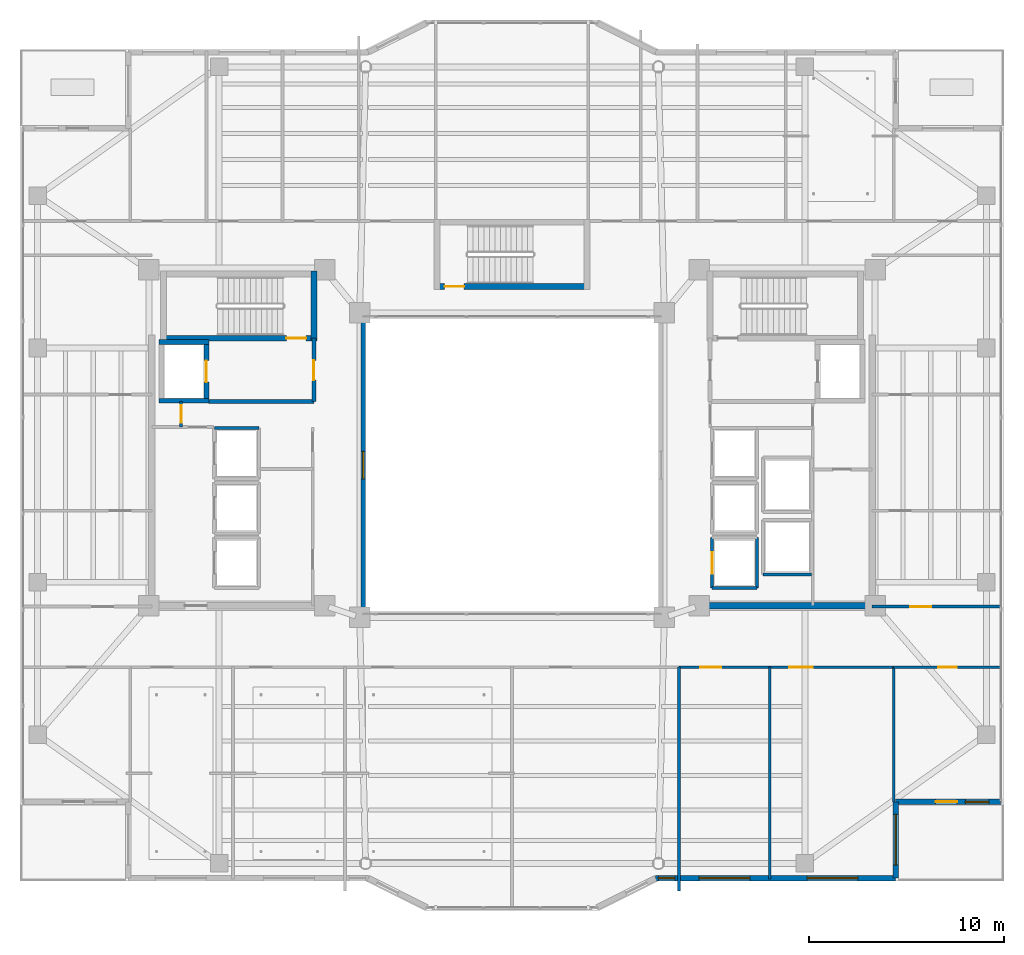
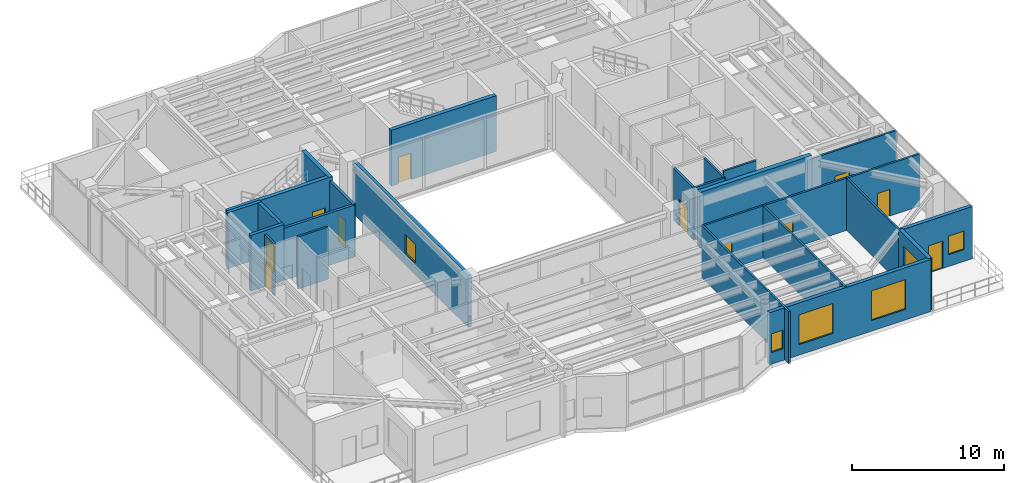
# One storey, part 24 of 33: 25 walls, 11 doors, 6 windows, 17 openings.
"""IFC4 building model written with IfcOpenShell, lengths in metres."""

from ifc_helpers import new_model, si_unit, direction, frame, frame_2d, origin, place, context, subcontext, project, spatial, rectangle, extrude, material, layer, layer_set, type_object, element, fill, save


model = new_model("IFC4")

# Units and contexts
model_context = context("Model", 3, precision=1e-05, world=origin(), true_north=direction((0.0, 1.0)))
body_context = subcontext(model_context, "Body", "Model", "MODEL_VIEW")
ifc_project = project(units=[si_unit("LENGTHUNIT", "METRE"), si_unit("AREAUNIT", "SQUARE_METRE"), si_unit("VOLUMEUNIT", "CUBIC_METRE"), si_unit("PLANEANGLEUNIT", "RADIAN"), si_unit("MASSUNIT", "GRAM", prefix="KILO")], contexts=[model_context])

# Site, building, storey
site_placement = place(None, origin())
site = spatial("IfcSite", under=ifc_project, at=site_placement, CompositionType="ELEMENT")
building_placement = place(site_placement, origin())
building = spatial("IfcBuilding", under=site, at=building_placement, Name="Tarnavaz Court Tower", CompositionType="ELEMENT")
storey_placement = place(building_placement, frame((0.0, 0.0, 177.300048828125)))
storey = spatial("IfcBuildingStorey", under=building, at=storey_placement, Name="L48", CompositionType="ELEMENT", Elevation=177.300048828125)

# Wall, opening, door
ifc_material_1 = material(Name="Concrete C50/60", Category="concrete")
ifc_layer_1 = layer(ifc_material_1, 0.25)
ifc_layer_set_1 = layer_set([ifc_layer_1], Name="Concrete C50/60")
wall_type_1 = type_object("IfcWallType", Name="WL-CORE-250-C50", PredefinedType="SHEAR", material=ifc_layer_set_1)
wall_1_placement = place(storey_placement, frame((-15.64990234375, 3.175048828125, 0.0), z_axis=(0.0, 0.0, 1.0), x_axis=(0.0, 1.0, 0.0)))
wall_1 = element("IfcWall", 1, at=wall_1_placement, inside=storey, type_object=wall_type_1, Name="L48 Lift FL-W1 Shaft Wall 018", PredefinedType="SHEAR", context=body_context, shape_type="SweptSolid", body=[
    extrude(rectangle(XDim=3.25, YDim=0.25, at=frame_2d((1.625, 0.0))), origin(), (0.0, 0.0, 1.0), 4.5),
])
opening_1_placement = place(wall_1_placement, frame((1.074951171875, 0.0, 0.0)))
opening_1 = element("IfcOpeningElement", 2, at=opening_1_placement, cuts=wall_1, Name="Opening LD1", PredefinedType="OPENING", context=body_context, shape_type="SweptSolid", body=[
    extrude(rectangle(XDim=1.10009765625, YDim=2.14990234375, at=frame_2d((0.550048828125, 1.074951171875))), frame((0.0, 0.135009765625, 0.0), z_axis=(0.0, -1.0, 0.0), x_axis=(1.0, 0.0, 0.0)), (0.0, 0.0, 1.0), 0.27001953125),
])
ifc_material_2 = material(Name="Stainless Steel", Category="steel")
door_type_1 = type_object("IfcDoorType", Name="DR-LD-1100", OperationType="NOTDEFINED", PredefinedType="DOOR", material=ifc_material_2)
door_1_placement = place(opening_1_placement, origin())
door_1 = element("IfcDoor", 3, at=door_1_placement, inside=storey, type_object=door_type_1, Name="L48 Lift Landing Door LD-FL-W1", OperationType="SLIDING_TO_LEFT", OverallHeight=2.14990234375, OverallWidth=1.10009765625, PredefinedType="DOOR", context=body_context, shape_type="SweptSolid", body=[
    extrude(rectangle(XDim=1.10009765625, YDim=2.14990234375, at=frame_2d((0.550048828125, 1.074951171875))), frame((0.0, 0.02490234375, 0.0), z_axis=(0.0, -1.0, 0.0), x_axis=(1.0, 0.0, 0.0)), (0.0, 0.0, 1.0), 0.050048828125),
])
fill(opening_1, door_1)

# Walls
for number, where, z_axis, x_axis, name in (
    (4, (-18.074951171875, 3.300048828125, 0.0), (0.0, 0.0, 1.0), (1.0, 0.0, 0.0), "L48 Lift FL-W1 Shaft Wall 019"),
    (5, (-18.074951171875, 6.300048828125, 0.0), (0.0, 0.0, 1.0), (1.0, 0.0, 0.0), "L48 Lift FL-W1 Shaft Wall 020"),
):
    element("IfcWall", number, at=place(storey_placement, frame(where, z_axis=z_axis, x_axis=x_axis)), inside=storey, type_object=wall_type_1, Name=name, PredefinedType="SHEAR", context=body_context, shape_type="SweptSolid", body=[
        extrude(rectangle(XDim=2.550048828125, YDim=0.25, at=frame_2d((1.27490234375, 0.0))), origin(), (0.0, 0.0, 1.0), 4.5),
    ])

# Wall, opening, door
ifc_layer_2 = layer(ifc_material_1, 0.300048828125)
ifc_layer_set_2 = layer_set([ifc_layer_2], Name="Concrete C50/60")
wall_type_2 = type_object("IfcWallType", Name="WL-CORE-300-C50", PredefinedType="SHEAR", material=ifc_layer_set_2)
wall_2_placement = place(storey_placement, frame((-18.0, 6.5, 0.0), z_axis=(0.0, 0.0, 1.0), x_axis=(1.0, 0.0, 0.0)))
wall_2 = element("IfcWall", 6, at=wall_2_placement, inside=storey, type_object=wall_type_2, Name="L48 West Stair Core Wall 002", PredefinedType="SHEAR", context=body_context, shape_type="SweptSolid", body=[
    extrude(rectangle(XDim=8.0, YDim=0.300048828125, at=frame_2d((4.0, 0.0))), origin(), (0.0, 0.0, 1.0), 4.5),
])
opening_2_placement = place(wall_2_placement, frame((6.449951171875, 0.0, 0.0)))
opening_2 = element("IfcOpeningElement", 7, at=opening_2_placement, cuts=wall_2, Name="Opening D01", PredefinedType="OPENING", context=body_context, shape_type="SweptSolid", body=[
    extrude(rectangle(XDim=1.0, YDim=2.14990234375, at=frame_2d((0.5, 1.074951171875))), frame((0.0, 0.159912109375, 0.0), z_axis=(0.0, -1.0, 0.0), x_axis=(1.0, 0.0, 0.0)), (0.0, 0.0, 1.0), 0.320068359375),
])
ifc_material_3 = material(Name="Fire-Rated Hardwood Timber Core", Category="wood")
door_type_2 = type_object("IfcDoorType", Name="DR-FD90-1000", OperationType="NOTDEFINED", PredefinedType="DOOR", material=ifc_material_3)
door_2_placement = place(opening_2_placement, origin())
door_2 = element("IfcDoor", 8, at=door_2_placement, inside=storey, type_object=door_type_2, Name="L48 Stair ST-W1 Exit Door", OperationType="SINGLE_SWING_LEFT", OverallHeight=2.14990234375, OverallWidth=1.0, PredefinedType="DOOR", context=body_context, shape_type="SweptSolid", body=[
    extrude(rectangle(XDim=1.0, YDim=2.14990234375, at=frame_2d((0.5, 1.074951171875))), frame((0.0, 0.02490234375, 0.0), z_axis=(0.0, -1.0, 0.0), x_axis=(1.0, 0.0, 0.0)), (0.0, 0.0, 1.0), 0.050048828125),
])
fill(opening_2, door_2)

# Wall
wall_3_placement = place(storey_placement, frame((-10.14990234375, 6.35009765625, 0.0), z_axis=(0.0, 0.0, 1.0), x_axis=(0.0, 1.0, 0.0)))
element("IfcWall", 9, at=wall_3_placement, inside=storey, type_object=wall_type_2, Name="L48 West Stair Core Wall 004", PredefinedType="SHEAR", context=body_context, shape_type="SweptSolid", body=[
    extrude(rectangle(XDim=3.58984375, YDim=0.300048828125, at=frame_2d((1.794921875, 0.0))), origin(), (0.0, 0.0, 1.0), 4.5),
])

# Wall, opening, door
wall_4_placement = place(storey_placement, frame((-4.0, 9.14990234375, 0.0), z_axis=(0.0, 0.0, 1.0), x_axis=(1.0, 0.0, 0.0)))
wall_4 = element("IfcWall", 10, at=wall_4_placement, inside=storey, type_object=wall_type_2, Name="L48 North Stair Core Wall 010", PredefinedType="SHEAR", context=body_context, shape_type="SweptSolid", body=[
    extrude(rectangle(XDim=8.0, YDim=0.300048828125, at=frame_2d((4.0, 0.0))), origin(), (0.0, 0.0, 1.0), 4.5),
])
opening_3_placement = place(wall_4_placement, frame((0.550048828125, 0.0, 0.0)))
opening_3 = element("IfcOpeningElement", 11, at=opening_3_placement, cuts=wall_4, Name="Opening D01", PredefinedType="OPENING", context=body_context, shape_type="SweptSolid", body=[
    extrude(rectangle(XDim=1.0, YDim=2.14990234375, at=frame_2d((0.5, 1.074951171875))), frame((0.0, 0.159912109375, 0.0), z_axis=(0.0, -1.0, 0.0), x_axis=(1.0, 0.0, 0.0)), (0.0, 0.0, 1.0), 0.320068359375),
])
door_3_placement = place(opening_3_placement, origin())
door_3 = element("IfcDoor", 12, at=door_3_placement, inside=storey, type_object=door_type_2, Name="L48 Stair ST-N1 Exit Door", OperationType="SINGLE_SWING_LEFT", OverallHeight=2.14990234375, OverallWidth=1.0, PredefinedType="DOOR", context=body_context, shape_type="SweptSolid", body=[
    extrude(rectangle(XDim=1.0, YDim=2.14990234375, at=frame_2d((0.5, 1.074951171875))), frame((0.0, 0.02490234375, 0.0), z_axis=(0.0, -1.0, 0.0), x_axis=(1.0, 0.0, 0.0)), (0.0, 0.0, 1.0), 0.050048828125),
])
fill(opening_3, door_3)

# Wall
ifc_layer_3 = layer(ifc_material_1, 0.35009765625)
ifc_layer_set_3 = layer_set([ifc_layer_3], Name="Concrete C50/60")
wall_type_3 = type_object("IfcWallType", Name="WL-CORE-350-C50", PredefinedType="SHEAR", material=ifc_layer_set_3)
wall_5_placement = place(storey_placement, frame((10.074951171875, -7.199951171875, 0.0), z_axis=(0.0, 0.0, 1.0), x_axis=(1.0, 0.0, 0.0)))
element("IfcWall", 13, at=wall_5_placement, inside=storey, type_object=wall_type_3, Name="L48 East Core South Shear Wall 060", PredefinedType="SHEAR", context=body_context, shape_type="SweptSolid", body=[
    extrude(rectangle(XDim=8.550048828125, YDim=0.35009765625, at=frame_2d((4.27490234375, 0.0))), origin(), (0.0, 0.0, 1.0), 4.5),
])

# Wall, openings, door, window
ifc_material_4 = material(Name="Precast Concrete C40/50", Category="concrete")
ifc_layer_4 = layer(ifc_material_4, 0.280029296875)
ifc_layer_set_4 = layer_set([ifc_layer_4], Name="Precast Concrete C40/50")
wall_type_4 = type_object("IfcWallType", Name="WL-EXT-280", PredefinedType="SOLIDWALL", material=ifc_layer_set_4)
wall_6_placement = place(storey_placement, frame((25.050048828125, -17.25, 0.0), z_axis=(0.0, 0.0, 1.0), x_axis=(-1.0, 0.0, 0.0)))
wall_6 = element("IfcWall", 14, at=wall_6_placement, inside=storey, type_object=wall_type_4, Name="L48 Exterior Terracotta Facade Wall 13", PredefinedType="SOLIDWALL", context=body_context, shape_type="SweptSolid", body=[
    extrude(rectangle(XDim=5.400146484375, YDim=0.280029296875, at=frame_2d((2.7001953125, 0.0))), origin(), (0.0, 0.0, 1.0), 4.199951171875),
])
opening_4_placement = place(wall_6_placement, frame((2.25, 0.0, 0.0)))
opening_4 = element("IfcOpeningElement", 15, at=opening_4_placement, cuts=wall_6, Name="Opening TD1", PredefinedType="OPENING", context=body_context, shape_type="SweptSolid", body=[
    extrude(rectangle(XDim=1.10009765625, YDim=2.199951171875, at=frame_2d((0.550048828125, 1.10009765625))), frame((0.0, 0.14990234375, 0.0), z_axis=(0.0, -1.0, 0.0), x_axis=(1.0, 0.0, 0.0)), (0.0, 0.0, 1.0), 0.300048828125),
])
opening_5_placement = place(wall_6_placement, frame((0.6298828125, 0.0, 0.949951171875)))
opening_5 = element("IfcOpeningElement", 16, at=opening_5_placement, cuts=wall_6, Name="Opening W05", PredefinedType="OPENING", context=body_context, shape_type="SweptSolid", body=[
    extrude(rectangle(XDim=1.199951171875, YDim=1.5, at=frame_2d((0.60009765625, 0.75))), frame((0.0, 0.14990234375, 0.0), z_axis=(0.0, -1.0, 0.0), x_axis=(1.0, 0.0, 0.0)), (0.0, 0.0, 1.0), 0.300048828125),
])
ifc_material_5 = material(Name="Thermally Broken Aluminium and Laminated Glass", Category="aluminium")
door_type_3 = type_object("IfcDoorType", Name="DR-TERR-1100", OperationType="NOTDEFINED", PredefinedType="DOOR", material=ifc_material_5)
door_4_placement = place(opening_4_placement, origin())
door_4 = element("IfcDoor", 17, at=door_4_placement, inside=storey, type_object=door_type_3, Name="L48 Sky Terrace Access Door 3", OperationType="SINGLE_SWING_LEFT", OverallHeight=2.199951171875, OverallWidth=1.10009765625, PredefinedType="DOOR", context=body_context, shape_type="SweptSolid", body=[
    extrude(rectangle(XDim=1.10009765625, YDim=2.199951171875, at=frame_2d((0.550048828125, 1.10009765625))), frame((0.0, 0.02490234375, 0.0), z_axis=(0.0, -1.0, 0.0), x_axis=(1.0, 0.0, 0.0)), (0.0, 0.0, 1.0), 0.050048828125),
])
fill(opening_4, door_4)
ifc_material_6 = material(Name="Double-Glazed Solar Low-E Glass", Category="glass")
window_type_1 = type_object("IfcWindowType", Name="WN-APT-1200", PartitioningType="SINGLE_PANEL", PredefinedType="WINDOW", material=ifc_material_6)
window_1_placement = place(opening_5_placement, origin())
window_1 = element("IfcWindow", 18, at=window_1_placement, inside=storey, type_object=window_type_1, Name="L48 L48 SE Terrace Salon Window", OverallHeight=1.5, OverallWidth=1.199951171875, PartitioningType="SINGLE_PANEL", PredefinedType="WINDOW", context=body_context, shape_type="SweptSolid", body=[
    extrude(rectangle(XDim=1.199951171875, YDim=1.5, at=frame_2d((0.60009765625, 0.75))), frame((0.0, 0.030029296875, 0.0), z_axis=(0.0, -1.0, 0.0), x_axis=(1.0, 0.0, 0.0)), (0.0, 0.0, 1.0), 0.06005859375),
])
fill(opening_5, window_1)

# Wall, opening, window
wall_7_placement = place(storey_placement, frame((19.64990234375, -17.25, 0.0), z_axis=(0.0, 0.0, 1.0), x_axis=(0.0, -1.0, 0.0)))
wall_7 = element("IfcWall", 19, at=wall_7_placement, inside=storey, type_object=wall_type_4, Name="L48 Exterior Terracotta Facade Wall 14", PredefinedType="SOLIDWALL", context=body_context, shape_type="SweptSolid", body=[
    extrude(rectangle(XDim=3.89990234375, YDim=0.280029296875, at=frame_2d((1.949951171875, 0.0))), origin(), (0.0, 0.0, 1.0), 4.199951171875),
])
opening_6_placement = place(wall_7_placement, frame((0.632080078125, 0.0, 0.85009765625)))
opening_6 = element("IfcOpeningElement", 20, at=opening_6_placement, cuts=wall_7, Name="Opening W11", PredefinedType="OPENING", context=body_context, shape_type="SweptSolid", body=[
    extrude(rectangle(XDim=2.60009765625, YDim=2.39990234375, at=frame_2d((1.300048828125, 1.199951171875))), frame((0.0, 0.14990234375, 0.0), z_axis=(0.0, -1.0, 0.0), x_axis=(1.0, 0.0, 0.0)), (0.0, 0.0, 1.0), 0.300048828125),
])
window_type_2 = type_object("IfcWindowType", Name="WN-COM-2600", PartitioningType="TRIPLE_PANEL_VERTICAL", PredefinedType="WINDOW", material=ifc_material_6)
window_2_placement = place(opening_6_placement, origin())
window_2 = element("IfcWindow", 21, at=window_2_placement, inside=storey, type_object=window_type_2, Name="L48 Residents Cafe and Tea Room Window", OverallHeight=2.39990234375, OverallWidth=2.60009765625, PartitioningType="SINGLE_PANEL", PredefinedType="WINDOW", context=body_context, shape_type="SweptSolid", body=[
    extrude(rectangle(XDim=2.60009765625, YDim=2.39990234375, at=frame_2d((1.300048828125, 1.199951171875))), frame((0.0, 0.030029296875, 0.0), z_axis=(0.0, -1.0, 0.0), x_axis=(1.0, 0.0, 0.0)), (0.0, 0.0, 1.0), 0.06005859375),
])
fill(opening_6, window_2)

# Wall, openings, windows
wall_8_placement = place(storey_placement, frame((19.64990234375, -21.14990234375, 0.0), z_axis=(0.0, 0.0, 1.0), x_axis=(-1.0, 0.0, 0.0)))
wall_8 = element("IfcWall", 22, at=wall_8_placement, inside=storey, type_object=wall_type_4, Name="L48 Exterior Terracotta Facade Wall 15", PredefinedType="SOLIDWALL", context=body_context, shape_type="SweptSolid", body=[
    extrude(rectangle(XDim=12.2998046875, YDim=0.280029296875, at=frame_2d((6.14990234375, 0.0))), origin(), (0.0, 0.0, 1.0), 4.199951171875),
])
opening_7_placement = place(wall_8_placement, frame((1.938232421875, 0.0, 0.85009765625)))
opening_7 = element("IfcOpeningElement", 23, at=opening_7_placement, cuts=wall_8, Name="Opening W11", PredefinedType="OPENING", context=body_context, shape_type="SweptSolid", body=[
    extrude(rectangle(XDim=2.60009765625, YDim=2.39990234375, at=frame_2d((1.300048828125, 1.199951171875))), frame((0.0, 0.14990234375, 0.0), z_axis=(0.0, -1.0, 0.0), x_axis=(1.0, 0.0, 0.0)), (0.0, 0.0, 1.0), 0.300048828125),
])
opening_8_placement = place(wall_8_placement, frame((7.460693359375, 0.0, 0.85009765625)))
opening_8 = element("IfcOpeningElement", 24, at=opening_8_placement, cuts=wall_8, Name="Opening W11", PredefinedType="OPENING", context=body_context, shape_type="SweptSolid", body=[
    extrude(rectangle(XDim=2.60009765625, YDim=2.39990234375, at=frame_2d((1.300048828125, 1.199951171875))), frame((0.0, 0.14990234375, 0.0), z_axis=(0.0, -1.0, 0.0), x_axis=(1.0, 0.0, 0.0)), (0.0, 0.0, 1.0), 0.300048828125),
])
opening_9_placement = place(wall_8_placement, frame((11.302978515625, 0.0, 0.949951171875)))
opening_9 = element("IfcOpeningElement", 25, at=opening_9_placement, cuts=wall_8, Name="Opening W15", PredefinedType="OPENING", context=body_context, shape_type="SweptSolid", body=[
    extrude(rectangle(XDim=0.85009765625, YDim=1.5, at=frame_2d((0.425048828125, 0.75))), frame((0.0, 0.14990234375, 0.0), z_axis=(0.0, -1.0, 0.0), x_axis=(1.0, 0.0, 0.0)), (0.0, 0.0, 1.0), 0.300048828125),
])
window_type_3 = type_object("IfcWindowType", Name="WN-APT-850", PartitioningType="SINGLE_PANEL", PredefinedType="WINDOW", material=ifc_material_6)
window_3_placement = place(opening_9_placement, origin())
window_3 = element("IfcWindow", 26, at=window_3_placement, inside=storey, type_object=window_type_3, Name="L48 L48 South-East Music and Arts Studio Window", OverallHeight=1.5, OverallWidth=0.85009765625, PartitioningType="SINGLE_PANEL", PredefinedType="WINDOW", context=body_context, shape_type="SweptSolid", body=[
    extrude(rectangle(XDim=0.85009765625, YDim=1.5, at=frame_2d((0.425048828125, 0.75))), frame((0.0, 0.030029296875, 0.0), z_axis=(0.0, -1.0, 0.0), x_axis=(1.0, 0.0, 0.0)), (0.0, 0.0, 1.0), 0.06005859375),
])
fill(opening_9, window_3)
window_4_placement = place(opening_7_placement, origin())
window_4 = element("IfcWindow", 27, at=window_4_placement, inside=storey, type_object=window_type_2, Name="L48 Residents Cafe and Tea Room Window", OverallHeight=2.39990234375, OverallWidth=2.60009765625, PartitioningType="SINGLE_PANEL", PredefinedType="WINDOW", context=body_context, shape_type="SweptSolid", body=[
    extrude(rectangle(XDim=2.60009765625, YDim=2.39990234375, at=frame_2d((1.300048828125, 1.199951171875))), frame((0.0, 0.030029296875, 0.0), z_axis=(0.0, -1.0, 0.0), x_axis=(1.0, 0.0, 0.0)), (0.0, 0.0, 1.0), 0.06005859375),
])
fill(opening_7, window_4)
window_5_placement = place(opening_8_placement, origin())
window_5 = element("IfcWindow", 28, at=window_5_placement, inside=storey, type_object=window_type_2, Name="L48 L48 Residents Counseling Office Window", OverallHeight=2.39990234375, OverallWidth=2.60009765625, PartitioningType="SINGLE_PANEL", PredefinedType="WINDOW", context=body_context, shape_type="SweptSolid", body=[
    extrude(rectangle(XDim=2.60009765625, YDim=2.39990234375, at=frame_2d((1.300048828125, 1.199951171875))), frame((0.0, 0.030029296875, 0.0), z_axis=(0.0, -1.0, 0.0), x_axis=(1.0, 0.0, 0.0)), (0.0, 0.0, 1.0), 0.06005859375),
])
fill(opening_8, window_5)

# Wall, openings, doors
ifc_material_7 = material(Name="Gypsum Fire-Board on Acoustic Metal Stud", Category="masonry")
ifc_layer_5 = layer(ifc_material_7, 0.14990234375)
ifc_layer_set_5 = layer_set([ifc_layer_5], Name="Gypsum Fire-Board on Acoustic Metal Stud")
wall_type_5 = type_object("IfcWallType", Name="WL-FIRE-150", PredefinedType="PARTITIONING", material=ifc_layer_set_5)
wall_9_placement = place(storey_placement, frame((8.550048828125, -10.35009765625, 0.0), z_axis=(0.0, 0.0, 1.0), x_axis=(1.0, 0.0, 0.0)))
wall_9 = element("IfcWall", 29, at=wall_9_placement, inside=storey, type_object=wall_type_5, Name="L48 SE Horseshoe Wall 072", PredefinedType="PARTITIONING", context=body_context, shape_type="SweptSolid", body=[
    extrude(rectangle(XDim=11.0, YDim=0.14990234375, at=frame_2d((5.5, 0.0))), origin(), (0.0, 0.0, 1.0), 4.199951171875),
])
opening_10_placement = place(wall_9_placement, frame((1.10009765625, 0.0, 0.0)))
opening_10 = element("IfcOpeningElement", 30, at=opening_10_placement, cuts=wall_9, Name="Opening D12", PredefinedType="OPENING", context=body_context, shape_type="SweptSolid", body=[
    extrude(rectangle(XDim=1.080078125, YDim=2.14990234375, at=frame_2d((0.5400390625, 1.074951171875))), frame((0.0, 0.0849609375, 0.0), z_axis=(0.0, -1.0, 0.0), x_axis=(1.0, 0.0, 0.0)), (0.0, 0.0, 1.0), 0.169921875),
])
opening_11_placement = place(wall_9_placement, frame((5.64892578125, 0.0, 0.0)))
opening_11 = element("IfcOpeningElement", 31, at=opening_11_placement, cuts=wall_9, Name="Opening D11", PredefinedType="OPENING", context=body_context, shape_type="SweptSolid", body=[
    extrude(rectangle(XDim=1.199951171875, YDim=2.14990234375, at=frame_2d((0.60009765625, 1.074951171875))), frame((0.0, 0.0849609375, 0.0), z_axis=(0.0, -1.0, 0.0), x_axis=(1.0, 0.0, 0.0)), (0.0, 0.0, 1.0), 0.169921875),
])
ifc_material_8 = material(Name="Engineered Oak Timber", Category="wood")
door_type_4 = type_object("IfcDoorType", Name="DR-INT-1100", OperationType="NOTDEFINED", PredefinedType="DOOR", material=ifc_material_8)
door_5_placement = place(opening_10_placement, origin())
door_5 = element("IfcDoor", 32, at=door_5_placement, inside=storey, type_object=door_type_4, Name="L48 Counseling Office Door", OperationType="SINGLE_SWING_RIGHT", OverallHeight=2.14990234375, OverallWidth=1.080078125, PredefinedType="DOOR", context=body_context, shape_type="SweptSolid", body=[
    extrude(rectangle(XDim=1.080078125, YDim=2.14990234375, at=frame_2d((0.5400390625, 1.074951171875))), frame((0.0, 0.02490234375, 0.0), z_axis=(0.0, -1.0, 0.0), x_axis=(1.0, 0.0, 0.0)), (0.0, 0.0, 1.0), 0.050048828125),
])
fill(opening_10, door_5)
door_type_5 = type_object("IfcDoorType", Name="DR-INT-1200", OperationType="NOTDEFINED", PredefinedType="DOOR", material=ifc_material_8)
door_6_placement = place(opening_11_placement, origin())
door_6 = element("IfcDoor", 33, at=door_6_placement, inside=storey, type_object=door_type_5, Name="L48 Residents Cafe and Tea Room Door", OperationType="SINGLE_SWING_LEFT", OverallHeight=2.14990234375, OverallWidth=1.199951171875, PredefinedType="DOOR", context=body_context, shape_type="SweptSolid", body=[
    extrude(rectangle(XDim=1.199951171875, YDim=2.14990234375, at=frame_2d((0.60009765625, 1.074951171875))), frame((0.0, 0.02490234375, 0.0), z_axis=(0.0, -1.0, 0.0), x_axis=(1.0, 0.0, 0.0)), (0.0, 0.0, 1.0), 0.050048828125),
])
fill(opening_11, door_6)

# Wall, opening, door
wall_10_placement = place(storey_placement, frame((18.449951171875, -7.25, 0.0), z_axis=(0.0, 0.0, 1.0), x_axis=(1.0, 0.0, 0.0)))
wall_10 = element("IfcWall", 34, at=wall_10_placement, inside=storey, type_object=wall_type_5, Name="L48 Interior Partition 088", PredefinedType="PARTITIONING", context=body_context, shape_type="SweptSolid", body=[
    extrude(rectangle(XDim=6.630126953125, YDim=0.14990234375, at=frame_2d((3.31494140625, 0.0))), origin(), (0.0, 0.0, 1.0), 4.199951171875),
])
opening_12_placement = place(wall_10_placement, frame((1.949951171875, 0.0, 0.0)))
opening_12 = element("IfcOpeningElement", 35, at=opening_12_placement, cuts=wall_10, Name="Opening D12", PredefinedType="OPENING", context=body_context, shape_type="SweptSolid", body=[
    extrude(rectangle(XDim=1.080078125, YDim=2.14990234375, at=frame_2d((0.5400390625, 1.074951171875))), frame((0.0, 0.0849609375, 0.0), z_axis=(0.0, -1.0, 0.0), x_axis=(1.0, 0.0, 0.0)), (0.0, 0.0, 1.0), 0.169921875),
])
door_7_placement = place(opening_12_placement, origin())
door_7 = element("IfcDoor", 36, at=door_7_placement, inside=storey, type_object=door_type_4, Name="L48 East Suite Room 1 Door", OperationType="SINGLE_SWING_LEFT", OverallHeight=2.14990234375, OverallWidth=1.080078125, PredefinedType="DOOR", context=body_context, shape_type="SweptSolid", body=[
    extrude(rectangle(XDim=1.080078125, YDim=2.14990234375, at=frame_2d((0.5400390625, 1.074951171875))), frame((0.0, 0.02490234375, 0.0), z_axis=(0.0, -1.0, 0.0), x_axis=(1.0, 0.0, 0.0)), (0.0, 0.0, 1.0), 0.050048828125),
])
fill(opening_12, door_7)

wall_11_placement = place(storey_placement, frame((19.550048828125, -10.35009765625, 0.0), z_axis=(0.0, 0.0, 1.0), x_axis=(1.0, 0.0, 0.0)))
wall_11 = element("IfcWall", 37, at=wall_11_placement, inside=storey, type_object=wall_type_5, Name="L48 Interior Partition 098", PredefinedType="PARTITIONING", context=body_context, shape_type="SweptSolid", body=[
    extrude(rectangle(XDim=5.530029296875, YDim=0.14990234375, at=frame_2d((2.76513671875, 0.0))), origin(), (0.0, 0.0, 1.0), 4.199951171875),
])
opening_13_placement = place(wall_11_placement, frame((2.2900390625, 0.0, 0.0)))
opening_13 = element("IfcOpeningElement", 38, at=opening_13_placement, cuts=wall_11, Name="Opening D13", PredefinedType="OPENING", context=body_context, shape_type="SweptSolid", body=[
    extrude(rectangle(XDim=0.949951171875, YDim=2.14990234375, at=frame_2d((0.47509765625, 1.074951171875))), frame((0.0, 0.0849609375, 0.0), z_axis=(0.0, -1.0, 0.0), x_axis=(1.0, 0.0, 0.0)), (0.0, 0.0, 1.0), 0.169921875),
])
door_type_6 = type_object("IfcDoorType", Name="DR-INT-950", OperationType="NOTDEFINED", PredefinedType="DOOR", material=ifc_material_8)
door_8_placement = place(opening_13_placement, origin())
door_8 = element("IfcDoor", 39, at=door_8_placement, inside=storey, type_object=door_type_6, Name="L48 SE Terrace Salon Door", OperationType="SINGLE_SWING_LEFT", OverallHeight=2.14990234375, OverallWidth=0.949951171875, PredefinedType="DOOR", context=body_context, shape_type="SweptSolid", body=[
    extrude(rectangle(XDim=0.949951171875, YDim=2.14990234375, at=frame_2d((0.47509765625, 1.074951171875))), frame((0.0, 0.02490234375, 0.0), z_axis=(0.0, -1.0, 0.0), x_axis=(1.0, 0.0, 0.0)), (0.0, 0.0, 1.0), 0.050048828125),
])
fill(opening_13, door_8)

# Wall
ifc_material_9 = material(Name="Autoclaved Aerated Concrete Blockwork", Category="masonry")
ifc_layer_6 = layer(ifc_material_9, 0.199951171875)
ifc_layer_set_6 = layer_set([ifc_layer_6], Name="Autoclaved Aerated Concrete Blockwork")
wall_type_6 = type_object("IfcWallType", Name="WL-FIRE-200", PredefinedType="SOLIDWALL", material=ifc_layer_set_6)
wall_12_placement = place(storey_placement, frame((-15.550048828125, 3.25, 0.0), z_axis=(0.0, 0.0, 1.0), x_axis=(1.0, 0.0, 0.0)))
element("IfcWall", 40, at=wall_12_placement, inside=storey, type_object=wall_type_6, Name="L48 West Firefighting Lobby Wall 013", PredefinedType="SOLIDWALL", context=body_context, shape_type="SweptSolid", body=[
    extrude(rectangle(XDim=5.400146484375, YDim=0.199951171875, at=frame_2d((2.7001953125, 0.0))), origin(), (0.0, 0.0, 1.0), 4.199951171875),
])

# Wall, opening, door
wall_13_placement = place(storey_placement, frame((-10.14990234375, 3.25, 0.0), z_axis=(0.0, 0.0, 1.0), x_axis=(0.0, 1.0, 0.0)))
wall_13 = element("IfcWall", 41, at=wall_13_placement, inside=storey, type_object=wall_type_6, Name="L48 West Firefighting Lobby Wall 014", PredefinedType="SOLIDWALL", context=body_context, shape_type="SweptSolid", body=[
    extrude(rectangle(XDim=3.25, YDim=0.199951171875, at=frame_2d((1.625, 0.0))), origin(), (0.0, 0.0, 1.0), 4.199951171875),
])
opening_14_placement = place(wall_13_placement, frame((1.10009765625, 0.0, 0.0)))
opening_14 = element("IfcOpeningElement", 42, at=opening_14_placement, cuts=wall_13, Name="Opening D05", PredefinedType="OPENING", context=body_context, shape_type="SweptSolid", body=[
    extrude(rectangle(XDim=1.02001953125, YDim=2.14990234375, at=frame_2d((0.510009765625, 1.074951171875))), frame((0.0, 0.10986328125, 0.0), z_axis=(0.0, -1.0, 0.0), x_axis=(1.0, 0.0, 0.0)), (0.0, 0.0, 1.0), 0.219970703125),
])
door_type_7 = type_object("IfcDoorType", Name="DR-FD60-1000", OperationType="NOTDEFINED", PredefinedType="DOOR", material=ifc_material_3)
door_9_placement = place(opening_14_placement, origin())
door_9 = element("IfcDoor", 43, at=door_9_placement, inside=storey, type_object=door_type_7, Name="L48 West Firefighting Lobby Door", OperationType="SINGLE_SWING_RIGHT", OverallHeight=2.14990234375, OverallWidth=1.02001953125, PredefinedType="DOOR", context=body_context, shape_type="SweptSolid", body=[
    extrude(rectangle(XDim=1.02001953125, YDim=2.14990234375, at=frame_2d((0.510009765625, 1.074951171875))), frame((0.0, 0.02490234375, 0.0), z_axis=(0.0, -1.0, 0.0), x_axis=(1.0, 0.0, 0.0)), (0.0, 0.0, 1.0), 0.050048828125),
])
fill(opening_14, door_9)

ifc_material_10 = material(Name="Gypsum Plasterboard Acoustic Partition", Category="masonry")
ifc_layer_7 = layer(ifc_material_10, 0.139892578125)
ifc_layer_set_7 = layer_set([ifc_layer_7], Name="Gypsum Plasterboard Acoustic Partition")
wall_type_7 = type_object("IfcWallType", Name="WL-PART-150", PredefinedType="PARTITIONING", material=ifc_layer_set_7)
wall_14_placement = place(storey_placement, frame((-16.949951171875, 1.949951171875, 0.0), z_axis=(0.0, 0.0, 1.0), x_axis=(0.0, 1.0, 0.0)))
wall_14 = element("IfcWall", 44, at=wall_14_placement, inside=storey, type_object=wall_type_7, Name="L48 Interior Partition 062", PredefinedType="PARTITIONING", context=body_context, shape_type="SweptSolid", body=[
    extrude(rectangle(XDim=1.300048828125, YDim=0.139892578125, at=frame_2d((0.64990234375, 0.0))), origin(), (0.0, 0.0, 1.0), 4.199951171875),
])
opening_15_placement = place(wall_14_placement, frame((0.219970703125, 0.0, 0.0)))
opening_15 = element("IfcOpeningElement", 45, at=opening_15_placement, cuts=wall_14, Name="Opening D09", PredefinedType="OPENING", context=body_context, shape_type="SweptSolid", body=[
    extrude(rectangle(XDim=0.89990234375, YDim=2.080078125, at=frame_2d((0.449951171875, 1.0400390625))), frame((0.0, 0.079833984375, 0.0), z_axis=(0.0, -1.0, 0.0), x_axis=(1.0, 0.0, 0.0)), (0.0, 0.0, 1.0), 0.159912109375),
])
door_type_8 = type_object("IfcDoorType", Name="DR-FD30-900", OperationType="NOTDEFINED", PredefinedType="DOOR", material=ifc_material_3)
door_10_placement = place(opening_15_placement, origin())
door_10 = element("IfcDoor", 46, at=door_10_placement, inside=storey, type_object=door_type_8, Name="L48 West Sky BMS Room Door", OperationType="SINGLE_SWING_RIGHT", OverallHeight=2.080078125, OverallWidth=0.89990234375, PredefinedType="DOOR", context=body_context, shape_type="SweptSolid", body=[
    extrude(rectangle(XDim=0.89990234375, YDim=2.080078125, at=frame_2d((0.449951171875, 1.0400390625))), frame((0.0, 0.02490234375, 0.0), z_axis=(0.0, -1.0, 0.0), x_axis=(1.0, 0.0, 0.0)), (0.0, 0.0, 1.0), 0.050048828125),
])
fill(opening_15, door_10)

# Walls
wall_15_placement = place(storey_placement, frame((8.550048828125, -21.803955078125, 0.0), z_axis=(0.0, 0.0, 1.0), x_axis=(0.0, 1.0, 0.0)))
element("IfcWall", 47, at=wall_15_placement, inside=storey, type_object=wall_type_7, Name="L48 Interior Partition 083", PredefinedType="PARTITIONING", context=body_context, shape_type="SweptSolid", body=[
    extrude(rectangle(XDim=11.453857421875, YDim=0.139892578125, at=frame_2d((5.72705078125, 0.0))), origin(), (0.0, 0.0, 1.0), 4.199951171875),
])
wall_16_placement = place(storey_placement, frame((13.198974609375, -21.199951171875, 0.0), z_axis=(0.0, 0.0, 1.0), x_axis=(0.0, 1.0, 0.0)))
element("IfcWall", 48, at=wall_16_placement, inside=storey, type_object=wall_type_7, Name="L48 Interior Partition 084", PredefinedType="PARTITIONING", context=body_context, shape_type="SweptSolid", body=[
    extrude(rectangle(XDim=10.849853515625, YDim=0.139892578125, at=frame_2d((5.4248046875, 0.0))), origin(), (0.0, 0.0, 1.0), 4.199951171875),
])
wall_17_placement = place(storey_placement, frame((19.550048828125, -17.25, 0.0), z_axis=(0.0, 0.0, 1.0), x_axis=(0.0, 1.0, 0.0)))
element("IfcWall", 49, at=wall_17_placement, inside=storey, type_object=wall_type_7, Name="L48 Interior Partition 092", PredefinedType="PARTITIONING", context=body_context, shape_type="SweptSolid", body=[
    extrude(rectangle(XDim=6.89990234375, YDim=0.139892578125, at=frame_2d((3.449951171875, 0.0))), origin(), (0.0, 0.0, 1.0), 4.199951171875),
])
ifc_layer_8 = layer(ifc_material_9, 0.159912109375)
ifc_layer_set_8 = layer_set([ifc_layer_8], Name="Autoclaved Aerated Concrete Blockwork")
wall_type_8 = type_object("IfcWallType", Name="WL-SHAFT-150", PredefinedType="SOLIDWALL", material=ifc_layer_set_8)
wall_18_placement = place(storey_placement, frame((-15.25, 1.89990234375, 0.0), z_axis=(0.0, 0.0, 1.0), x_axis=(1.0, 0.0, 0.0)))
element("IfcWall", 50, at=wall_18_placement, inside=storey, type_object=wall_type_8, Name="L48 Lift PL-H3 Shaft Wall 032", PredefinedType="SOLIDWALL", context=body_context, shape_type="SweptSolid", body=[
    extrude(rectangle(XDim=2.300048828125, YDim=0.159912109375, at=frame_2d((1.14990234375, 0.0))), origin(), (0.0, 0.0, 1.0), 4.199951171875),
])

# Wall, opening, door
wall_19_placement = place(storey_placement, frame((10.25, -6.300048828125, 0.0), z_axis=(0.0, 0.0, 1.0), x_axis=(0.0, 1.0, 0.0)))
wall_19 = element("IfcWall", 51, at=wall_19_placement, inside=storey, type_object=wall_type_8, Name="L48 Lift PL-M1 Shaft Wall 037", PredefinedType="SOLIDWALL", context=body_context, shape_type="SweptSolid", body=[
    extrude(rectangle(XDim=2.60009765625, YDim=0.159912109375, at=frame_2d((1.300048828125, 0.0))), origin(), (0.0, 0.0, 1.0), 4.199951171875),
])
opening_16_placement = place(wall_19_placement, frame((0.75, 0.0, 0.0)))
opening_16 = element("IfcOpeningElement", 52, at=opening_16_placement, cuts=wall_19, Name="Opening LD1", PredefinedType="OPENING", context=body_context, shape_type="SweptSolid", body=[
    extrude(rectangle(XDim=1.10009765625, YDim=2.14990234375, at=frame_2d((0.550048828125, 1.074951171875))), frame((0.0, 0.08984375, 0.0), z_axis=(0.0, -1.0, 0.0), x_axis=(1.0, 0.0, 0.0)), (0.0, 0.0, 1.0), 0.179931640625),
])
door_11_placement = place(opening_16_placement, origin())
door_11 = element("IfcDoor", 53, at=door_11_placement, inside=storey, type_object=door_type_1, Name="L48 Lift Landing Door LD-PL-M1", OperationType="SLIDING_TO_LEFT", OverallHeight=2.14990234375, OverallWidth=1.10009765625, PredefinedType="DOOR", context=body_context, shape_type="SweptSolid", body=[
    extrude(rectangle(XDim=1.10009765625, YDim=2.14990234375, at=frame_2d((0.550048828125, 1.074951171875))), frame((0.0, 0.02490234375, 0.0), z_axis=(0.0, -1.0, 0.0), x_axis=(1.0, 0.0, 0.0)), (0.0, 0.0, 1.0), 0.050048828125),
])
fill(opening_16, door_11)

# Walls
wall_20_placement = place(storey_placement, frame((12.550048828125, -6.300048828125, 0.0), z_axis=(0.0, 0.0, 1.0), x_axis=(0.0, 1.0, 0.0)))
element("IfcWall", 54, at=wall_20_placement, inside=storey, type_object=wall_type_8, Name="L48 Lift PL-M1 Shaft Wall 038", PredefinedType="SOLIDWALL", context=body_context, shape_type="SweptSolid", body=[
    extrude(rectangle(XDim=2.60009765625, YDim=0.159912109375, at=frame_2d((1.300048828125, 0.0))), origin(), (0.0, 0.0, 1.0), 4.199951171875),
])
wall_21_placement = place(storey_placement, frame((10.25, -6.300048828125, 0.0), z_axis=(0.0, 0.0, 1.0), x_axis=(1.0, 0.0, 0.0)))
element("IfcWall", 55, at=wall_21_placement, inside=storey, type_object=wall_type_8, Name="L48 Lift PL-M1 Shaft Wall 039", PredefinedType="SOLIDWALL", context=body_context, shape_type="SweptSolid", body=[
    extrude(rectangle(XDim=2.300048828125, YDim=0.159912109375, at=frame_2d((1.14990234375, 0.0))), origin(), (0.0, 0.0, 1.0), 4.199951171875),
])
wall_22_placement = place(storey_placement, frame((12.85009765625, -5.60009765625, 0.0), z_axis=(0.0, 0.0, 1.0), x_axis=(1.0, 0.0, 0.0)))
element("IfcWall", 56, at=wall_22_placement, inside=storey, type_object=wall_type_8, Name="L48 Lift PL-OB1 Shaft Wall 051", PredefinedType="SOLIDWALL", context=body_context, shape_type="SweptSolid", body=[
    extrude(rectangle(XDim=2.5, YDim=0.159912109375, at=frame_2d((1.25, 0.0))), origin(), (0.0, 0.0, 1.0), 4.199951171875),
])

# Wall, opening, window
ifc_layer_9 = layer(ifc_material_4, 0.239990234375)
ifc_layer_set_9 = layer_set([ifc_layer_9], Name="Precast Concrete C40/50")
wall_type_9 = type_object("IfcWallType", Name="WL-WELL-240", PredefinedType="SOLIDWALL", material=ifc_layer_set_9)
wall_23_placement = place(storey_placement, frame((-7.6201171875, 7.6201171875, 0.0), z_axis=(0.0, 0.0, 1.0), x_axis=(0.0, -1.0, 0.0)))
wall_23 = element("IfcWall", 57, at=wall_23_placement, inside=storey, type_object=wall_type_9, Name="L48 Badgir Light-Well Exterior Wall W", PredefinedType="SOLIDWALL", context=body_context, shape_type="SweptSolid", body=[
    extrude(rectangle(XDim=15.240234375, YDim=0.239990234375, at=frame_2d((7.6201171875, 0.0))), origin(), (0.0, 0.0, 1.0), 4.199951171875),
])
opening_17_placement = place(wall_23_placement, frame((6.919921875, 0.0, 0.949951171875)))
opening_17 = element("IfcOpeningElement", 58, at=opening_17_placement, cuts=wall_23, Name="Opening W13", PredefinedType="OPENING", context=body_context, shape_type="SweptSolid", body=[
    extrude(rectangle(XDim=1.39990234375, YDim=1.5, at=frame_2d((0.699951171875, 0.75))), frame((0.0, 0.1298828125, 0.0), z_axis=(0.0, -1.0, 0.0), x_axis=(1.0, 0.0, 0.0)), (0.0, 0.0, 1.0), 0.260009765625),
])
window_type_4 = type_object("IfcWindowType", Name="WN-WEL-1400", PartitioningType="SINGLE_PANEL", PredefinedType="WINDOW", material=ifc_material_6)
window_6_placement = place(opening_17_placement, origin())
window_6 = element("IfcWindow", 59, at=window_6_placement, inside=storey, type_object=window_type_4, Name="L48 Courtyard Gallery Window W", OverallHeight=1.5, OverallWidth=1.39990234375, PartitioningType="SINGLE_PANEL", PredefinedType="WINDOW", context=body_context, shape_type="SweptSolid", body=[
    extrude(rectangle(XDim=1.39990234375, YDim=1.5, at=frame_2d((0.699951171875, 0.75))), frame((0.0, 0.030029296875, 0.0), z_axis=(0.0, -1.0, 0.0), x_axis=(1.0, 0.0, 0.0)), (0.0, 0.0, 1.0), 0.06005859375),
])
fill(opening_17, window_6)

save(model, "model.ifc")
